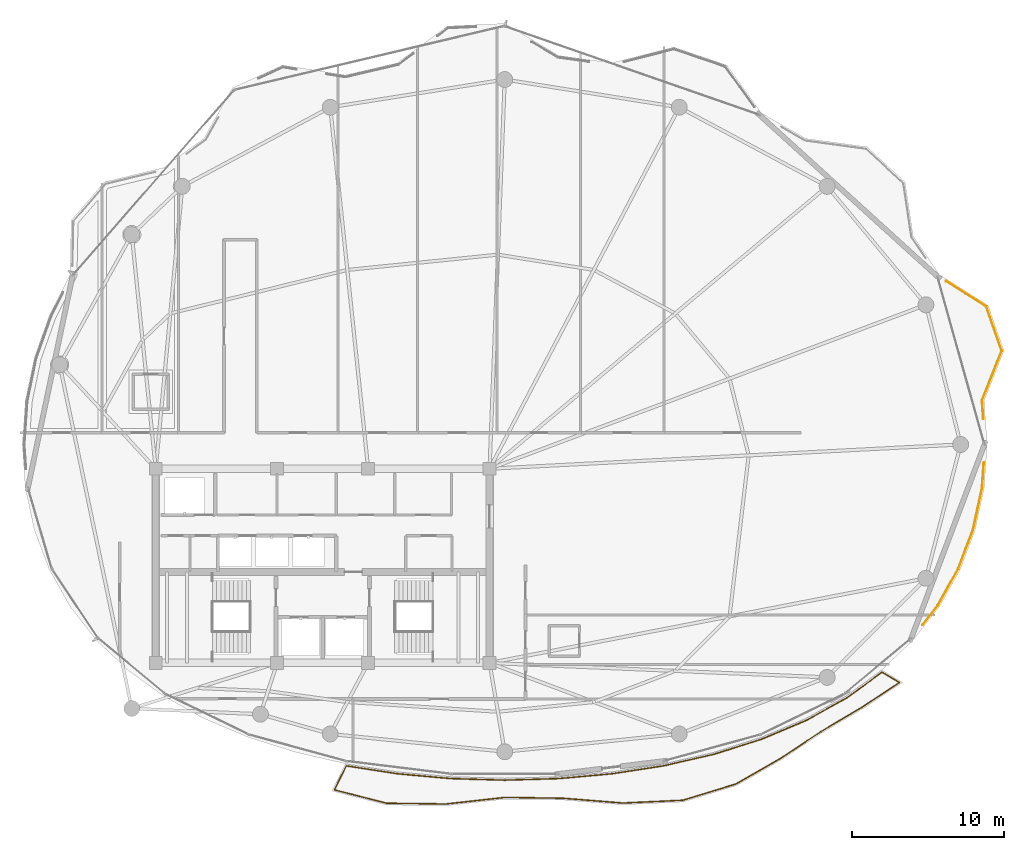
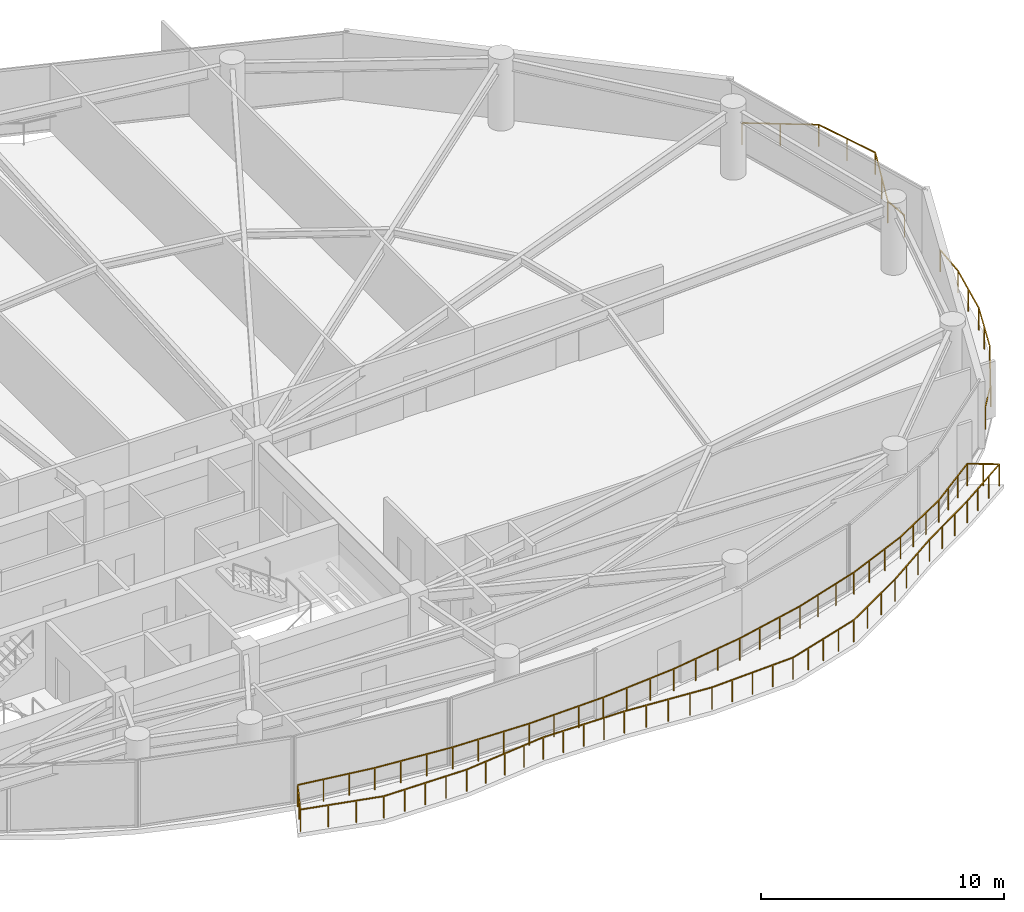
# One storey, part 28 of 29: 3 railings.
"""IFC4 building model written with IfcOpenShell, lengths in metres."""

from ifc_helpers import new_model, si_unit, direction, frame, origin, origin_2d, place, context, subcontext, project, spatial, rectangle, extrude, material, type_object, element, save


model = new_model("IFC4")

# Units and contexts
model_context = context("Model", 3, precision=1e-05, world=origin(), true_north=direction((0.0, 1.0)))
body_context = subcontext(model_context, "Body", "Model", "MODEL_VIEW")
ifc_project = project(units=[si_unit("LENGTHUNIT", "METRE"), si_unit("AREAUNIT", "SQUARE_METRE"), si_unit("VOLUMEUNIT", "CUBIC_METRE"), si_unit("PLANEANGLEUNIT", "RADIAN"), si_unit("MASSUNIT", "GRAM", prefix="KILO")], contexts=[model_context])

# Site, building, storey
site_placement = place(None, origin())
site = spatial("IfcSite", under=ifc_project, at=site_placement, CompositionType="ELEMENT")
building_placement = place(site_placement, origin())
building = spatial("IfcBuilding", under=site, at=building_placement, Name="Kazevale Care Tower and Concert Hall", CompositionType="ELEMENT")
storey_placement = place(building_placement, frame((0.0, 0.0, 213.60009765625)))
storey = spatial("IfcBuildingStorey", under=building, at=storey_placement, Name="L56", CompositionType="ELEMENT", Elevation=213.60009765625)

# Railings
ifc_material = material(Name="Anodised Bronze Aluminium and Laminated Glass", Category="aluminium")
railing_type = type_object("IfcRailingType", Name="Balcony and Terrace Balustrade 1120", PredefinedType="BALUSTRADE", material=ifc_material)
railing_1_placement = place(storey_placement, frame((76.576904296875, 36.81103515625, 0.0)))
element("IfcRailing", 1, at=railing_1_placement, inside=storey, type_object=railing_type, Name="rail:L56:perim:10", PredefinedType="BALUSTRADE", context=body_context, shape_type="SweptSolid", body=[
    extrude(rectangle(XDim=0.048095703125, YDim=0.048095703125, at=origin_2d()), frame((0.0, 0.0, 1.09619140625), z_axis=(-0.069683140934, -0.997569175481, 0.0), x_axis=(0.997569175481, -0.069683140934, 0.0)), (0.0, 0.0, 1.0), 1.664306640625),
    extrude(rectangle(XDim=0.048095703125, YDim=0.048095703125, at=origin_2d()), frame((-0.115966796875, -1.66015625, 1.09619140625), z_axis=(-0.210886672564, -0.97751051725, 0.0), x_axis=(0.97751051725, -0.210886672564, 0.0)), (0.0, 0.0, 1.0), 2.81201171875),
    extrude(rectangle(XDim=0.048095703125, YDim=0.048095703125, at=origin_2d()), frame((-0.708984375, -4.408935546875, 1.09619140625), z_axis=(-0.352914941795, -0.935655408715, 0.0), x_axis=(0.935655408715, -0.352914941795, 0.0)), (0.0, 0.0, 1.0), 2.77685546875),
    extrude(rectangle(XDim=0.048095703125, YDim=0.048095703125, at=origin_2d()), frame((-1.68896484375, -7.007080078125, 1.09619140625), z_axis=(-0.490131162051, -0.871648692987, 0.0), x_axis=(0.871648692987, -0.490131162051, 0.0)), (0.0, 0.0, 1.0), 2.762451171875),
    extrude(rectangle(XDim=0.048095703125, YDim=0.048095703125, at=origin_2d()), frame((-3.04296875, -9.4150390625, 1.09619140625), z_axis=(-0.615507243123, -0.788131228707, 0.0), x_axis=(0.788131228707, -0.615507243123, 0.0)), (0.0, 0.0, 1.0), 1.6279296875),
    extrude(rectangle(XDim=0.0419921875, YDim=0.0419921875, at=origin_2d()), origin(), (0.0, 0.0, 1.0), 1.072021484375),
    extrude(rectangle(XDim=0.0419921875, YDim=0.0419921875, at=origin_2d()), frame((-0.115966796875, -1.66015625, 0.0)), (0.0, 0.0, 1.0), 1.072021484375),
    extrude(rectangle(XDim=0.0419921875, YDim=0.0419921875, at=origin_2d()), frame((-0.41259765625, -3.03466796875, 0.0)), (0.0, 0.0, 1.0), 1.072021484375),
    extrude(rectangle(XDim=0.0419921875, YDim=0.0419921875, at=origin_2d()), frame((-0.708984375, -4.408935546875, 0.0)), (0.0, 0.0, 1.0), 1.072021484375),
    extrude(rectangle(XDim=0.0419921875, YDim=0.0419921875, at=origin_2d()), frame((-1.198974609375, -5.7080078125, 0.0)), (0.0, 0.0, 1.0), 1.072021484375),
    extrude(rectangle(XDim=0.0419921875, YDim=0.0419921875, at=origin_2d()), frame((-1.68896484375, -7.007080078125, 0.0)), (0.0, 0.0, 1.0), 1.072021484375),
    extrude(rectangle(XDim=0.0419921875, YDim=0.0419921875, at=origin_2d()), frame((-2.365966796875, -8.2109375, 0.0)), (0.0, 0.0, 1.0), 1.072021484375),
    extrude(rectangle(XDim=0.0419921875, YDim=0.0419921875, at=origin_2d()), frame((-3.04296875, -9.4150390625, 0.0)), (0.0, 0.0, 1.0), 1.072021484375),
    extrude(rectangle(XDim=0.0419921875, YDim=0.0419921875, at=origin_2d()), frame((-4.044921875, -10.697998046875, 0.0)), (0.0, 0.0, 1.0), 1.072021484375),
])
railing_2_placement = place(storey_placement, frame((74.073974609375, 48.760009765625, 0.0)))
element("IfcRailing", 2, at=railing_2_placement, inside=storey, type_object=railing_type, Name="rail:L56:perim:11", PredefinedType="BALUSTRADE", context=body_context, shape_type="SweptSolid", body=[
    extrude(rectangle(XDim=0.048095703125, YDim=0.048095703125, at=origin_2d()), frame((0.0, 0.0, 1.09619140625), z_axis=(0.845028885188, -0.534720659034, 0.0), x_axis=(0.534720659034, 0.845028885188, 0.0)), (0.0, 0.0, 1.0), 3.155029296875),
    extrude(rectangle(XDim=0.048095703125, YDim=0.048095703125, at=origin_2d()), frame((2.666015625, -1.68701171875, 1.09619140625), z_axis=(0.330541862018, -0.943791331521, 0.0), x_axis=(0.943791331521, 0.330541862018, 0.0)), (0.0, 0.0, 1.0), 3.0673828125),
    extrude(rectangle(XDim=0.048095703125, YDim=0.048095703125, at=origin_2d()), frame((3.679931640625, -4.58203125, 1.09619140625), z_axis=(-0.368706440166, -0.929545889658, 0.0), x_axis=(0.929545889658, -0.368706440166, 0.0)), (0.0, 0.0, 1.0), 3.5146484375),
    extrude(rectangle(XDim=0.048095703125, YDim=0.048095703125, at=origin_2d()), frame((2.384033203125, -7.84912109375, 1.09619140625), z_axis=(0.069088253147, -0.997610551907, 0.0), x_axis=(0.997610551907, 0.069088253147, 0.0)), (0.0, 0.0, 1.0), 1.229736328125),
    extrude(rectangle(XDim=0.0419921875, YDim=0.0419921875, at=origin_2d()), origin(), (0.0, 0.0, 1.0), 1.072021484375),
    extrude(rectangle(XDim=0.0419921875, YDim=0.0419921875, at=origin_2d()), frame((1.3330078125, -0.843505859375, 0.0)), (0.0, 0.0, 1.0), 1.072021484375),
    extrude(rectangle(XDim=0.0419921875, YDim=0.0419921875, at=origin_2d()), frame((2.666015625, -1.68701171875, 0.0)), (0.0, 0.0, 1.0), 1.072021484375),
    extrude(rectangle(XDim=0.0419921875, YDim=0.0419921875, at=origin_2d()), frame((3.1728515625, -3.134521484375, 0.0)), (0.0, 0.0, 1.0), 1.072021484375),
    extrude(rectangle(XDim=0.0419921875, YDim=0.0419921875, at=origin_2d()), frame((3.679931640625, -4.58203125, 0.0)), (0.0, 0.0, 1.0), 1.072021484375),
    extrude(rectangle(XDim=0.0419921875, YDim=0.0419921875, at=origin_2d()), frame((3.031982421875, -6.215576171875, 0.0)), (0.0, 0.0, 1.0), 1.072021484375),
    extrude(rectangle(XDim=0.0419921875, YDim=0.0419921875, at=origin_2d()), frame((2.384033203125, -7.84912109375, 0.0)), (0.0, 0.0, 1.0), 1.072021484375),
    extrude(rectangle(XDim=0.0419921875, YDim=0.0419921875, at=origin_2d()), frame((2.468994140625, -9.075927734375, 0.0)), (0.0, 0.0, 1.0), 1.072021484375),
])
railing_3_placement = place(storey_placement, frame((34.56298828125, 16.819091796875, 0.0)))
element("IfcRailing", 3, at=railing_3_placement, inside=storey, type_object=railing_type, Name="rail:L56:balcony", PredefinedType="BALUSTRADE", context=body_context, shape_type="SweptSolid", body=[
    extrude(rectangle(XDim=0.048095703125, YDim=0.048095703125, at=origin_2d()), frame((0.0, 0.0, 1.09619140625), z_axis=(0.988093340761, -0.15385561395, 0.0), x_axis=(0.15385561395, 0.988093340761, 0.0)), (0.0, 0.0, 1.0), 3.38623046875),
    extrude(rectangle(XDim=0.048095703125, YDim=0.048095703125, at=origin_2d()), frame((3.345947265625, -0.52099609375, 1.09619140625), z_axis=(0.995947899496, -0.089932093766, 0.0), x_axis=(0.089932093766, 0.995947899496, 0.0)), (0.0, 0.0, 1.0), 3.537353515625),
    extrude(rectangle(XDim=0.048095703125, YDim=0.048095703125, at=origin_2d()), frame((6.868896484375, -0.839111328125, 1.09619140625), z_axis=(0.999567458851, -0.029409100739, 0.0), x_axis=(0.029409100739, 0.999567458851, 0.0)), (0.0, 0.0, 1.0), 3.569580078125),
    extrude(rectangle(XDim=0.048095703125, YDim=0.048095703125, at=origin_2d()), frame((10.43701171875, -0.944091796875, 1.09619140625), z_axis=(0.999567458851, 0.029409100739, 0.0), x_axis=(-0.029409100739, 0.999567458851, 0.0)), (0.0, 0.0, 1.0), 3.569580078125),
    extrude(rectangle(XDim=0.048095703125, YDim=0.048095703125, at=origin_2d()), frame((14.005126953125, -0.839111328125, 1.09619140625), z_axis=(0.995947899496, 0.089932093766, 0.0), x_axis=(-0.089932093766, 0.995947899496, 0.0)), (0.0, 0.0, 1.0), 3.537353515625),
    extrude(rectangle(XDim=0.048095703125, YDim=0.048095703125, at=origin_2d()), frame((17.528076171875, -0.52099609375, 1.09619140625), z_axis=(0.988098216207, 0.153824299539, 0.0), x_axis=(-0.153824299539, 0.988098216207, 0.0)), (0.0, 0.0, 1.0), 3.4775390625),
    extrude(rectangle(XDim=0.048095703125, YDim=0.048095703125, at=origin_2d()), frame((20.964111328125, 0.013916015625, 1.09619140625), z_axis=(0.974534254558, 0.224238682418, 0.0), x_axis=(-0.224238682418, 0.974534254558, 0.0)), (0.0, 0.0, 1.0), 3.389404296875),
    extrude(rectangle(XDim=0.048095703125, YDim=0.048095703125, at=origin_2d()), frame((24.26708984375, 0.77392578125, 1.09619140625), z_axis=(0.953239514235, 0.302215864078, 0.0), x_axis=(-0.302215864078, 0.953239514235, 0.0)), (0.0, 0.0, 1.0), 3.285400390625),
    extrude(rectangle(XDim=0.048095703125, YDim=0.048095703125, at=origin_2d()), frame((27.39892578125, 1.766845703125, 1.09619140625), z_axis=(0.921006567992, 0.389547046858, 0.0), x_axis=(-0.389547046858, 0.921006567992, 0.0)), (0.0, 0.0, 1.0), 3.170654296875),
    extrude(rectangle(XDim=0.048095703125, YDim=0.048095703125, at=origin_2d()), frame((30.319091796875, 3.001953125, 1.09619140625), z_axis=(0.874149737903, 0.485656499724, 0.0), x_axis=(-0.485656499724, 0.874149737903, 0.0)), (0.0, 0.0, 1.0), 3.055419921875),
    extrude(rectangle(XDim=0.048095703125, YDim=0.048095703125, at=origin_2d()), frame((32.989990234375, 4.48583984375, 1.09619140625), z_axis=(0.809111467971, 0.587655198562, 0.0), x_axis=(-0.587655198562, 0.809111467971, 0.0)), (0.0, 0.0, 1.0), 2.867431640625),
    extrude(rectangle(XDim=0.048095703125, YDim=0.048095703125, at=origin_2d()), frame((35.31005859375, 6.1708984375, 1.09619140625), z_axis=(0.85837065212, -0.513030041596, 0.0), x_axis=(0.513030041596, 0.85837065212, 0.0)), (0.0, 0.0, 1.0), 1.323486328125),
    extrude(rectangle(XDim=0.048095703125, YDim=0.048095703125, at=origin_2d()), frame((36.446044921875, 5.491943359375, 1.09619140625), z_axis=(-0.833840377329, -0.552005638682, 0.0), x_axis=(0.552005638682, -0.833840377329, 0.0)), (0.0, 0.0, 1.0), 2.951416015625),
    extrude(rectangle(XDim=0.048095703125, YDim=0.048095703125, at=origin_2d()), frame((33.985107421875, 3.86279296875, 1.09619140625), z_axis=(-0.860284016512, -0.509815075232, 0.0), x_axis=(0.509815075232, -0.860284016512, 0.0)), (0.0, 0.0, 1.0), 3.165283203125),
    extrude(rectangle(XDim=0.048095703125, YDim=0.048095703125, at=origin_2d()), frame((31.261962890625, 2.2490234375, 1.09619140625), z_axis=(-0.833321293744, -0.552788948328, 0.0), x_axis=(0.552788948328, -0.833321293744, 0.0)), (0.0, 0.0, 1.0), 3.18603515625),
    extrude(rectangle(XDim=0.048095703125, YDim=0.048095703125, at=origin_2d()), frame((28.60693359375, 0.48779296875, 1.09619140625), z_axis=(-0.867230531376, -0.497906824063, 0.0), x_axis=(0.497906824063, -0.867230531376, 0.0)), (0.0, 0.0, 1.0), 3.3740234375),
    extrude(rectangle(XDim=0.048095703125, YDim=0.048095703125, at=origin_2d()), frame((25.680908203125, -1.192138671875, 1.09619140625), z_axis=(-0.955901401559, -0.293687777236, 0.0), x_axis=(0.293687777236, -0.955901401559, 0.0)), (0.0, 0.0, 1.0), 3.66357421875),
    extrude(rectangle(XDim=0.048095703125, YDim=0.048095703125, at=origin_2d()), frame((22.178955078125, -2.26806640625, 1.09619140625), z_axis=(-0.998916351965, -0.046541613383, 0.0), x_axis=(0.046541613383, -0.998916351965, 0.0)), (0.0, 0.0, 1.0), 3.955322265625),
    extrude(rectangle(XDim=0.048095703125, YDim=0.048095703125, at=origin_2d()), frame((18.22802734375, -2.4521484375, 1.09619140625), z_axis=(-0.996831030971, 0.079548071583, 0.0), x_axis=(-0.079548071583, -0.996831030971, 0.0)), (0.0, 0.0, 1.0), 3.98681640625),
    extrude(rectangle(XDim=0.048095703125, YDim=0.048095703125, at=origin_2d()), frame((14.25390625, -2.135009765625, 1.09619140625), z_axis=(-0.999903993889, 0.013856514891, 0.0), x_axis=(-0.013856514891, -0.999903993889, 0.0)), (0.0, 0.0, 1.0), 3.823486328125),
    extrude(rectangle(XDim=0.048095703125, YDim=0.048095703125, at=origin_2d()), frame((10.430908203125, -2.08203125, 1.09619140625), z_axis=(-0.99386002603, -0.110644695579, 0.0), x_axis=(0.110644695579, -0.99386002603, 0.0)), (0.0, 0.0, 1.0), 3.896728515625),
    extrude(rectangle(XDim=0.048095703125, YDim=0.048095703125, at=origin_2d()), frame((6.55810546875, -2.51318359375, 1.09619140625), z_axis=(-0.999920774707, 0.012587466382, 0.0), x_axis=(-0.012587466382, -0.999920774707, 0.0)), (0.0, 0.0, 1.0), 3.8984375),
    extrude(rectangle(XDim=0.048095703125, YDim=0.048095703125, at=origin_2d()), frame((2.659912109375, -2.464111328125, 1.09619140625), z_axis=(-0.968751374704, 0.24803381626, 0.0), x_axis=(-0.24803381626, -0.968751374704, 0.0)), (0.0, 0.0, 1.0), 3.560302734375),
    extrude(rectangle(XDim=0.048095703125, YDim=0.048095703125, at=origin_2d()), frame((-0.7890625, -1.5810546875, 1.09619140625), z_axis=(0.446550279081, 0.894758541872, 0.0), x_axis=(-0.894758541872, 0.446550279081, 0.0)), (0.0, 0.0, 1.0), 1.76708984375),
    extrude(rectangle(XDim=0.0419921875, YDim=0.0419921875, at=origin_2d()), origin(), (0.0, 0.0, 1.0), 1.072021484375),
    extrude(rectangle(XDim=0.0419921875, YDim=0.0419921875, at=origin_2d()), frame((1.115234375, -0.173583984375, 0.0)), (0.0, 0.0, 1.0), 1.072021484375),
    extrude(rectangle(XDim=0.0419921875, YDim=0.0419921875, at=origin_2d()), frame((2.230712890625, -0.347412109375, 0.0)), (0.0, 0.0, 1.0), 1.072021484375),
    extrude(rectangle(XDim=0.0419921875, YDim=0.0419921875, at=origin_2d()), frame((3.345947265625, -0.52099609375, 0.0)), (0.0, 0.0, 1.0), 1.072021484375),
    extrude(rectangle(XDim=0.0419921875, YDim=0.0419921875, at=origin_2d()), frame((4.520263671875, -0.626953125, 0.0)), (0.0, 0.0, 1.0), 1.072021484375),
    extrude(rectangle(XDim=0.0419921875, YDim=0.0419921875, at=origin_2d()), frame((5.694580078125, -0.733154296875, 0.0)), (0.0, 0.0, 1.0), 1.072021484375),
    extrude(rectangle(XDim=0.0419921875, YDim=0.0419921875, at=origin_2d()), frame((6.868896484375, -0.839111328125, 0.0)), (0.0, 0.0, 1.0), 1.072021484375),
    extrude(rectangle(XDim=0.0419921875, YDim=0.0419921875, at=origin_2d()), frame((8.058349609375, -0.8740234375, 0.0)), (0.0, 0.0, 1.0), 1.072021484375),
    extrude(rectangle(XDim=0.0419921875, YDim=0.0419921875, at=origin_2d()), frame((9.24755859375, -0.9091796875, 0.0)), (0.0, 0.0, 1.0), 1.072021484375),
    extrude(rectangle(XDim=0.0419921875, YDim=0.0419921875, at=origin_2d()), frame((10.43701171875, -0.944091796875, 0.0)), (0.0, 0.0, 1.0), 1.072021484375),
    extrude(rectangle(XDim=0.0419921875, YDim=0.0419921875, at=origin_2d()), frame((11.62646484375, -0.9091796875, 0.0)), (0.0, 0.0, 1.0), 1.072021484375),
    extrude(rectangle(XDim=0.0419921875, YDim=0.0419921875, at=origin_2d()), frame((12.815673828125, -0.8740234375, 0.0)), (0.0, 0.0, 1.0), 1.072021484375),
    extrude(rectangle(XDim=0.0419921875, YDim=0.0419921875, at=origin_2d()), frame((14.005126953125, -0.839111328125, 0.0)), (0.0, 0.0, 1.0), 1.072021484375),
    extrude(rectangle(XDim=0.0419921875, YDim=0.0419921875, at=origin_2d()), frame((15.179443359375, -0.733154296875, 0.0)), (0.0, 0.0, 1.0), 1.072021484375),
    extrude(rectangle(XDim=0.0419921875, YDim=0.0419921875, at=origin_2d()), frame((16.353759765625, -0.626953125, 0.0)), (0.0, 0.0, 1.0), 1.072021484375),
    extrude(rectangle(XDim=0.0419921875, YDim=0.0419921875, at=origin_2d()), frame((17.528076171875, -0.52099609375, 0.0)), (0.0, 0.0, 1.0), 1.072021484375),
    extrude(rectangle(XDim=0.0419921875, YDim=0.0419921875, at=origin_2d()), frame((18.67333984375, -0.3427734375, 0.0)), (0.0, 0.0, 1.0), 1.072021484375),
    extrude(rectangle(XDim=0.0419921875, YDim=0.0419921875, at=origin_2d()), frame((19.81884765625, -0.164306640625, 0.0)), (0.0, 0.0, 1.0), 1.072021484375),
    extrude(rectangle(XDim=0.0419921875, YDim=0.0419921875, at=origin_2d()), frame((20.964111328125, 0.013916015625, 0.0)), (0.0, 0.0, 1.0), 1.072021484375),
    extrude(rectangle(XDim=0.0419921875, YDim=0.0419921875, at=origin_2d()), frame((22.065185546875, 0.267333984375, 0.0)), (0.0, 0.0, 1.0), 1.072021484375),
    extrude(rectangle(XDim=0.0419921875, YDim=0.0419921875, at=origin_2d()), frame((23.166015625, 0.5205078125, 0.0)), (0.0, 0.0, 1.0), 1.072021484375),
    extrude(rectangle(XDim=0.0419921875, YDim=0.0419921875, at=origin_2d()), frame((24.26708984375, 0.77392578125, 0.0)), (0.0, 0.0, 1.0), 1.072021484375),
    extrude(rectangle(XDim=0.0419921875, YDim=0.0419921875, at=origin_2d()), frame((25.31103515625, 1.10498046875, 0.0)), (0.0, 0.0, 1.0), 1.072021484375),
    extrude(rectangle(XDim=0.0419921875, YDim=0.0419921875, at=origin_2d()), frame((26.35498046875, 1.435791015625, 0.0)), (0.0, 0.0, 1.0), 1.072021484375),
    extrude(rectangle(XDim=0.0419921875, YDim=0.0419921875, at=origin_2d()), frame((27.39892578125, 1.766845703125, 0.0)), (0.0, 0.0, 1.0), 1.072021484375),
    extrude(rectangle(XDim=0.0419921875, YDim=0.0419921875, at=origin_2d()), frame((28.372314453125, 2.178466796875, 0.0)), (0.0, 0.0, 1.0), 1.072021484375),
    extrude(rectangle(XDim=0.0419921875, YDim=0.0419921875, at=origin_2d()), frame((29.345703125, 2.59033203125, 0.0)), (0.0, 0.0, 1.0), 1.072021484375),
    extrude(rectangle(XDim=0.0419921875, YDim=0.0419921875, at=origin_2d()), frame((30.319091796875, 3.001953125, 0.0)), (0.0, 0.0, 1.0), 1.072021484375),
    extrude(rectangle(XDim=0.0419921875, YDim=0.0419921875, at=origin_2d()), frame((31.20947265625, 3.49658203125, 0.0)), (0.0, 0.0, 1.0), 1.072021484375),
    extrude(rectangle(XDim=0.0419921875, YDim=0.0419921875, at=origin_2d()), frame((32.099609375, 3.9912109375, 0.0)), (0.0, 0.0, 1.0), 1.072021484375),
    extrude(rectangle(XDim=0.0419921875, YDim=0.0419921875, at=origin_2d()), frame((32.989990234375, 4.48583984375, 0.0)), (0.0, 0.0, 1.0), 1.072021484375),
    extrude(rectangle(XDim=0.0419921875, YDim=0.0419921875, at=origin_2d()), frame((33.763427734375, 5.047607421875, 0.0)), (0.0, 0.0, 1.0), 1.072021484375),
    extrude(rectangle(XDim=0.0419921875, YDim=0.0419921875, at=origin_2d()), frame((34.53662109375, 5.609130859375, 0.0)), (0.0, 0.0, 1.0), 1.072021484375),
    extrude(rectangle(XDim=0.0419921875, YDim=0.0419921875, at=origin_2d()), frame((35.31005859375, 6.1708984375, 0.0)), (0.0, 0.0, 1.0), 1.072021484375),
    extrude(rectangle(XDim=0.0419921875, YDim=0.0419921875, at=origin_2d()), frame((35.8779296875, 5.83154296875, 0.0)), (0.0, 0.0, 1.0), 1.072021484375),
    extrude(rectangle(XDim=0.0419921875, YDim=0.0419921875, at=origin_2d()), frame((36.446044921875, 5.491943359375, 0.0)), (0.0, 0.0, 1.0), 1.072021484375),
    extrude(rectangle(XDim=0.0419921875, YDim=0.0419921875, at=origin_2d()), frame((35.625732421875, 4.948974609375, 0.0)), (0.0, 0.0, 1.0), 1.072021484375),
    extrude(rectangle(XDim=0.0419921875, YDim=0.0419921875, at=origin_2d()), frame((34.805419921875, 4.40576171875, 0.0)), (0.0, 0.0, 1.0), 1.072021484375),
    extrude(rectangle(XDim=0.0419921875, YDim=0.0419921875, at=origin_2d()), frame((33.985107421875, 3.86279296875, 0.0)), (0.0, 0.0, 1.0), 1.072021484375),
    extrude(rectangle(XDim=0.0419921875, YDim=0.0419921875, at=origin_2d()), frame((33.077392578125, 3.324951171875, 0.0)), (0.0, 0.0, 1.0), 1.072021484375),
    extrude(rectangle(XDim=0.0419921875, YDim=0.0419921875, at=origin_2d()), frame((32.169677734375, 2.786865234375, 0.0)), (0.0, 0.0, 1.0), 1.072021484375),
    extrude(rectangle(XDim=0.0419921875, YDim=0.0419921875, at=origin_2d()), frame((31.261962890625, 2.2490234375, 0.0)), (0.0, 0.0, 1.0), 1.072021484375),
    extrude(rectangle(XDim=0.0419921875, YDim=0.0419921875, at=origin_2d()), frame((30.376953125, 1.661865234375, 0.0)), (0.0, 0.0, 1.0), 1.072021484375),
    extrude(rectangle(XDim=0.0419921875, YDim=0.0419921875, at=origin_2d()), frame((29.491943359375, 1.074951171875, 0.0)), (0.0, 0.0, 1.0), 1.072021484375),
    extrude(rectangle(XDim=0.0419921875, YDim=0.0419921875, at=origin_2d()), frame((28.60693359375, 0.48779296875, 0.0)), (0.0, 0.0, 1.0), 1.072021484375),
    extrude(rectangle(XDim=0.0419921875, YDim=0.0419921875, at=origin_2d()), frame((27.631591796875, -0.072265625, 0.0)), (0.0, 0.0, 1.0), 1.072021484375),
    extrude(rectangle(XDim=0.0419921875, YDim=0.0419921875, at=origin_2d()), frame((26.65625, -0.632080078125, 0.0)), (0.0, 0.0, 1.0), 1.072021484375),
    extrude(rectangle(XDim=0.0419921875, YDim=0.0419921875, at=origin_2d()), frame((25.680908203125, -1.192138671875, 0.0)), (0.0, 0.0, 1.0), 1.072021484375),
    extrude(rectangle(XDim=0.0419921875, YDim=0.0419921875, at=origin_2d()), frame((24.805419921875, -1.461181640625, 0.0)), (0.0, 0.0, 1.0), 1.072021484375),
    extrude(rectangle(XDim=0.0419921875, YDim=0.0419921875, at=origin_2d()), frame((23.929931640625, -1.72998046875, 0.0)), (0.0, 0.0, 1.0), 1.072021484375),
    extrude(rectangle(XDim=0.0419921875, YDim=0.0419921875, at=origin_2d()), frame((23.054443359375, -1.9990234375, 0.0)), (0.0, 0.0, 1.0), 1.072021484375),
    extrude(rectangle(XDim=0.0419921875, YDim=0.0419921875, at=origin_2d()), frame((22.178955078125, -2.26806640625, 0.0)), (0.0, 0.0, 1.0), 1.072021484375),
    extrude(rectangle(XDim=0.0419921875, YDim=0.0419921875, at=origin_2d()), frame((21.191162109375, -2.31396484375, 0.0)), (0.0, 0.0, 1.0), 1.072021484375),
    extrude(rectangle(XDim=0.0419921875, YDim=0.0419921875, at=origin_2d()), frame((20.20361328125, -2.360107421875, 0.0)), (0.0, 0.0, 1.0), 1.072021484375),
    extrude(rectangle(XDim=0.0419921875, YDim=0.0419921875, at=origin_2d()), frame((19.2158203125, -2.40625, 0.0)), (0.0, 0.0, 1.0), 1.072021484375),
    extrude(rectangle(XDim=0.0419921875, YDim=0.0419921875, at=origin_2d()), frame((18.22802734375, -2.4521484375, 0.0)), (0.0, 0.0, 1.0), 1.072021484375),
    extrude(rectangle(XDim=0.0419921875, YDim=0.0419921875, at=origin_2d()), frame((17.234375, -2.372802734375, 0.0)), (0.0, 0.0, 1.0), 1.072021484375),
    extrude(rectangle(XDim=0.0419921875, YDim=0.0419921875, at=origin_2d()), frame((16.240966796875, -2.29345703125, 0.0)), (0.0, 0.0, 1.0), 1.072021484375),
    extrude(rectangle(XDim=0.0419921875, YDim=0.0419921875, at=origin_2d()), frame((15.24755859375, -2.21435546875, 0.0)), (0.0, 0.0, 1.0), 1.072021484375),
    extrude(rectangle(XDim=0.0419921875, YDim=0.0419921875, at=origin_2d()), frame((14.25390625, -2.135009765625, 0.0)), (0.0, 0.0, 1.0), 1.072021484375),
    extrude(rectangle(XDim=0.0419921875, YDim=0.0419921875, at=origin_2d()), frame((13.298095703125, -2.121826171875, 0.0)), (0.0, 0.0, 1.0), 1.072021484375),
    extrude(rectangle(XDim=0.0419921875, YDim=0.0419921875, at=origin_2d()), frame((12.34228515625, -2.1083984375, 0.0)), (0.0, 0.0, 1.0), 1.072021484375),
    extrude(rectangle(XDim=0.0419921875, YDim=0.0419921875, at=origin_2d()), frame((11.38671875, -2.09521484375, 0.0)), (0.0, 0.0, 1.0), 1.072021484375),
    extrude(rectangle(XDim=0.0419921875, YDim=0.0419921875, at=origin_2d()), frame((10.430908203125, -2.08203125, 0.0)), (0.0, 0.0, 1.0), 1.072021484375),
    extrude(rectangle(XDim=0.0419921875, YDim=0.0419921875, at=origin_2d()), frame((9.462646484375, -2.18994140625, 0.0)), (0.0, 0.0, 1.0), 1.072021484375),
    extrude(rectangle(XDim=0.0419921875, YDim=0.0419921875, at=origin_2d()), frame((8.49462890625, -2.297607421875, 0.0)), (0.0, 0.0, 1.0), 1.072021484375),
    extrude(rectangle(XDim=0.0419921875, YDim=0.0419921875, at=origin_2d()), frame((7.5263671875, -2.4052734375, 0.0)), (0.0, 0.0, 1.0), 1.072021484375),
    extrude(rectangle(XDim=0.0419921875, YDim=0.0419921875, at=origin_2d()), frame((6.55810546875, -2.51318359375, 0.0)), (0.0, 0.0, 1.0), 1.072021484375),
    extrude(rectangle(XDim=0.0419921875, YDim=0.0419921875, at=origin_2d()), frame((5.58349609375, -2.5009765625, 0.0)), (0.0, 0.0, 1.0), 1.072021484375),
    extrude(rectangle(XDim=0.0419921875, YDim=0.0419921875, at=origin_2d()), frame((4.60888671875, -2.48876953125, 0.0)), (0.0, 0.0, 1.0), 1.072021484375),
    extrude(rectangle(XDim=0.0419921875, YDim=0.0419921875, at=origin_2d()), frame((3.634521484375, -2.476318359375, 0.0)), (0.0, 0.0, 1.0), 1.072021484375),
    extrude(rectangle(XDim=0.0419921875, YDim=0.0419921875, at=origin_2d()), frame((2.659912109375, -2.464111328125, 0.0)), (0.0, 0.0, 1.0), 1.072021484375),
    extrude(rectangle(XDim=0.0419921875, YDim=0.0419921875, at=origin_2d()), frame((1.51025390625, -2.169677734375, 0.0)), (0.0, 0.0, 1.0), 1.072021484375),
    extrude(rectangle(XDim=0.0419921875, YDim=0.0419921875, at=origin_2d()), frame((0.360595703125, -1.87548828125, 0.0)), (0.0, 0.0, 1.0), 1.072021484375),
    extrude(rectangle(XDim=0.0419921875, YDim=0.0419921875, at=origin_2d()), frame((-0.7890625, -1.5810546875, 0.0)), (0.0, 0.0, 1.0), 1.072021484375),
    extrude(rectangle(XDim=0.0419921875, YDim=0.0419921875, at=origin_2d()), frame((-0.39453125, -0.79052734375, 0.0)), (0.0, 0.0, 1.0), 1.072021484375),
])

save(model, "model.ifc")
